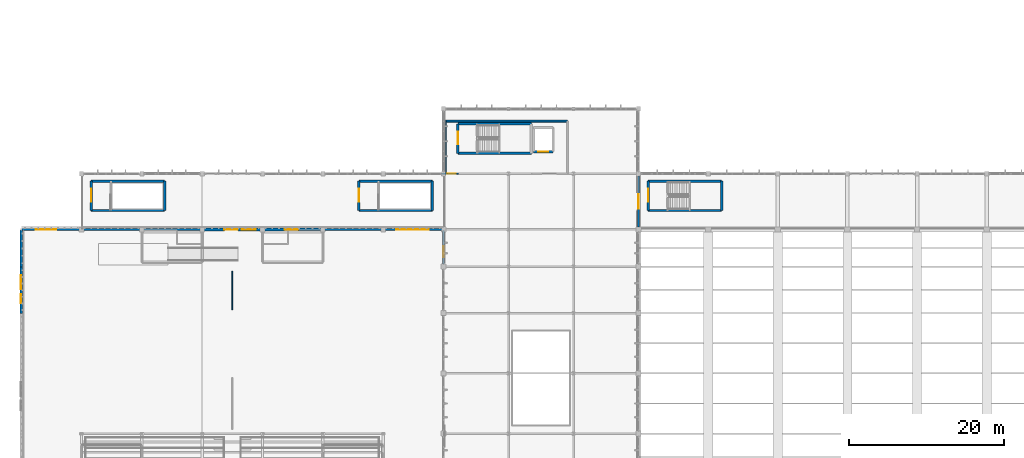
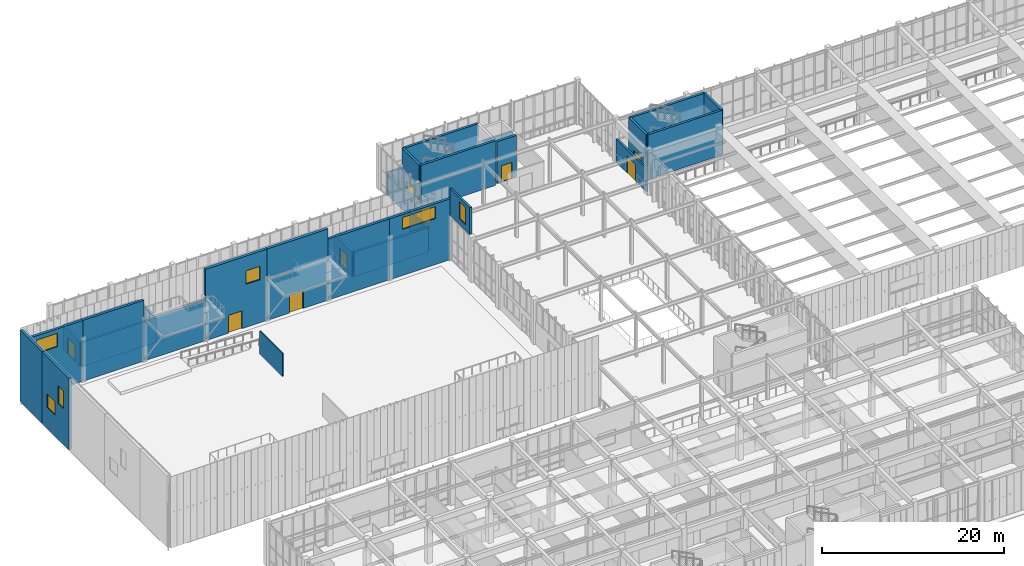
# One storey, part 75 of 105: 31 walls, 9 doors, 6 windows, 15 openings.
"""IFC4 building model written with IfcOpenShell, lengths in metres."""

from ifc_helpers import new_model, si_unit, direction, frame, frame_2d, origin, place, context, subcontext, project, spatial, rectangle, extrude, material, layer, layer_set, type_object, element, fill, save


model = new_model("IFC4")

# Units and contexts
model_context = context("Model", 3, precision=1e-05, world=origin(), true_north=direction((0.0, 1.0)))
body_context = subcontext(model_context, "Body", "Model", "MODEL_VIEW")
ifc_project = project(units=[si_unit("LENGTHUNIT", "METRE"), si_unit("AREAUNIT", "SQUARE_METRE"), si_unit("VOLUMEUNIT", "CUBIC_METRE"), si_unit("PLANEANGLEUNIT", "RADIAN"), si_unit("MASSUNIT", "GRAM", prefix="KILO")], contexts=[model_context])

# Site, building, storey
site_placement = place(None, origin())
site = spatial("IfcSite", under=ifc_project, at=site_placement, CompositionType="ELEMENT")
building_placement = place(site_placement, origin())
building = spatial("IfcBuilding", under=site, at=building_placement, Name="Tizgana Railside Sports Hall", CompositionType="ELEMENT")
storey_placement = place(building_placement, frame((0.0, 0.0, 6.0)))
storey = spatial("IfcBuildingStorey", under=building, at=storey_placement, Name="L01", CompositionType="ELEMENT", Elevation=6.0)

# Walls
ifc_material_1 = material(Name="Concrete C40/50", Category="concrete")
ifc_layer_1 = layer(ifc_material_1, 0.300048828125, Name="Concrete C40/50")
ifc_layer_set_1 = layer_set([ifc_layer_1], Name="Concrete C40/50")
wall_type_1 = type_object("IfcWallType", Name="Core Shear Wall 300", PredefinedType="SHEAR", material=ifc_layer_set_1)
for number, where, z_axis, x_axis, name in (
    (1, (65.949951171875, 83.050048828125, 0.0), (0.0, 0.0, 1.0), (-1.0, 0.0, 0.0), "L01 C4 Shaft Wall S"),
    (2, (56.449951171875, 86.85009765625, 0.0), (0.0, 0.0, 1.0), (1.0, 0.0, 0.0), "L01 C4 Shaft Wall N"),
):
    element("IfcWall", number, at=place(storey_placement, frame(where, z_axis=z_axis, x_axis=x_axis)), inside=storey, type_object=wall_type_1, Name=name, PredefinedType="SHEAR", context=body_context, shape_type="SweptSolid", body=[
        extrude(rectangle(XDim=9.5, YDim=0.300048828125, at=frame_2d((4.75, 0.0))), origin(), (0.0, 0.0, 1.0), 6.0),
    ])

# Wall, opening, door
wall_1_placement = place(storey_placement, frame((56.449951171875, 83.050048828125, 0.0), z_axis=(0.0, 0.0, 1.0), x_axis=(0.0, 1.0, 0.0)))
wall_1 = element("IfcWall", 3, at=wall_1_placement, inside=storey, type_object=wall_type_1, Name="L01 C4 Shaft Wall W", PredefinedType="SHEAR", context=body_context, shape_type="SweptSolid", body=[
    extrude(rectangle(XDim=3.800048828125, YDim=0.300048828125, at=frame_2d((1.89990234375, 0.0))), origin(), (0.0, 0.0, 1.0), 6.0),
])
opening_1_placement = place(wall_1_placement, frame((1.14990234375, 0.0, 0.0)))
opening_1 = element("IfcOpeningElement", 4, at=opening_1_placement, cuts=wall_1, Name="Opening D-0073", PredefinedType="OPENING", context=body_context, shape_type="SweptSolid", body=[
    extrude(rectangle(XDim=1.64990234375, YDim=2.199951171875, at=frame_2d((0.824951171875, 1.10009765625))), frame((0.0, 0.159912109375, 0.0), z_axis=(0.0, -1.0, 0.0), x_axis=(1.0, 0.0, 0.0)), (0.0, 0.0, 1.0), 0.320068359375),
])
ifc_material_2 = material(Name="Timber fire leaf", Category="wood")
door_type_1 = type_object("IfcDoorType", Name="Stair Core Double Fire Door 1650x2200", OperationType="NOTDEFINED", PredefinedType="DOOR", material=ifc_material_2)
door_1_placement = place(opening_1_placement, origin())
door_1 = element("IfcDoor", 5, at=door_1_placement, inside=storey, type_object=door_type_1, Name="L01 Door D-0073", OperationType="DOUBLE_DOOR_SINGLE_SWING", OverallHeight=2.199951171875, OverallWidth=1.64990234375, PredefinedType="DOOR", context=body_context, shape_type="SweptSolid", body=[
    extrude(rectangle(XDim=1.64990234375, YDim=2.199951171875, at=frame_2d((0.824951171875, 1.10009765625))), frame((0.0, 0.02490234375, 0.0), z_axis=(0.0, -1.0, 0.0), x_axis=(1.0, 0.0, 0.0)), (0.0, 0.0, 1.0), 0.050048828125),
])
fill(opening_1, door_1)

wall_2_placement = place(storey_placement, frame((66.25, 83.25, 0.0), z_axis=(0.0, 0.0, 1.0), x_axis=(1.0, 0.0, 0.0)))
wall_2 = element("IfcWall", 6, at=wall_2_placement, inside=storey, type_object=wall_type_1, Name="L01 LF-02 Shaft Wall S", PredefinedType="SHEAR", context=body_context, shape_type="SweptSolid", body=[
    extrude(rectangle(XDim=2.5, YDim=0.300048828125, at=frame_2d((1.25, 0.0))), origin(), (0.0, 0.0, 1.0), 5.639892578125),
])
opening_2_placement = place(wall_2_placement, frame((0.60009765625, 0.0, 0.0)))
opening_2 = element("IfcOpeningElement", 7, at=opening_2_placement, cuts=wall_2, Name="Opening D-0077", PredefinedType="OPENING", context=body_context, shape_type="SweptSolid", body=[
    extrude(rectangle(XDim=1.300048828125, YDim=2.199951171875, at=frame_2d((0.64990234375, 1.10009765625))), frame((0.0, 0.159912109375, 0.0), z_axis=(0.0, -1.0, 0.0), x_axis=(1.0, 0.0, 0.0)), (0.0, 0.0, 1.0), 0.320068359375),
])
ifc_material_3 = material(Name="Brushed stainless steel", Category="steel")
door_type_2 = type_object("IfcDoorType", Name="Stretcher Lift Sliding Door 1300x2200", OperationType="NOTDEFINED", PredefinedType="DOOR", material=ifc_material_3)
door_2_placement = place(opening_2_placement, origin())
door_2 = element("IfcDoor", 8, at=door_2_placement, inside=storey, type_object=door_type_2, Name="L01 Door D-0077", OperationType="DOUBLE_DOOR_SLIDING", OverallHeight=2.199951171875, OverallWidth=1.300048828125, PredefinedType="DOOR", context=body_context, shape_type="SweptSolid", body=[
    extrude(rectangle(XDim=1.300048828125, YDim=2.199951171875, at=frame_2d((0.64990234375, 1.10009765625))), frame((0.0, 0.02490234375, 0.0), z_axis=(0.0, -1.0, 0.0), x_axis=(1.0, 0.0, 0.0)), (0.0, 0.0, 1.0), 0.050048828125),
])
fill(opening_2, door_2)

# Walls
for number, where, z_axis, x_axis, name in (
    (9, (53.14990234375, 75.64990234375, 0.0), (0.0, 0.0, 1.0), (-1.0, 0.0, 0.0), "L01 C6 Shaft Wall S"),
    (10, (43.64990234375, 79.449951171875, 0.0), (0.0, 0.0, 1.0), (1.0, 0.0, 0.0), "L01 C6 Shaft Wall N"),
):
    element("IfcWall", number, at=place(storey_placement, frame(where, z_axis=z_axis, x_axis=x_axis)), inside=storey, type_object=wall_type_1, Name=name, PredefinedType="SHEAR", context=body_context, shape_type="SweptSolid", body=[
        extrude(rectangle(XDim=9.5, YDim=0.300048828125, at=frame_2d((4.75, 0.0))), origin(), (0.0, 0.0, 1.0), 3.300048828125),
    ])

# Wall, opening, door
wall_3_placement = place(storey_placement, frame((43.64990234375, 75.64990234375, 0.0), z_axis=(0.0, 0.0, 1.0), x_axis=(0.0, 1.0, 0.0)))
wall_3 = element("IfcWall", 11, at=wall_3_placement, inside=storey, type_object=wall_type_1, Name="L01 C6 Shaft Wall W", PredefinedType="SHEAR", context=body_context, shape_type="SweptSolid", body=[
    extrude(rectangle(XDim=3.800048828125, YDim=0.300048828125, at=frame_2d((1.89990234375, 0.0))), origin(), (0.0, 0.0, 1.0), 3.300048828125),
])
opening_3_placement = place(wall_3_placement, frame((1.14990234375, 0.0, 0.0)))
opening_3 = element("IfcOpeningElement", 12, at=opening_3_placement, cuts=wall_3, Name="Opening D-0089", PredefinedType="OPENING", context=body_context, shape_type="SweptSolid", body=[
    extrude(rectangle(XDim=1.64990234375, YDim=2.199951171875, at=frame_2d((0.824951171875, 1.10009765625))), frame((0.0, 0.159912109375, 0.0), z_axis=(0.0, -1.0, 0.0), x_axis=(1.0, 0.0, 0.0)), (0.0, 0.0, 1.0), 0.320068359375),
])
door_3_placement = place(opening_3_placement, origin())
door_3 = element("IfcDoor", 13, at=door_3_placement, inside=storey, type_object=door_type_1, Name="L01 Door D-0089", OperationType="DOUBLE_DOOR_SINGLE_SWING", OverallHeight=2.199951171875, OverallWidth=1.64990234375, PredefinedType="DOOR", context=body_context, shape_type="SweptSolid", body=[
    extrude(rectangle(XDim=1.64990234375, YDim=2.199951171875, at=frame_2d((0.824951171875, 1.10009765625))), frame((0.0, 0.02490234375, 0.0), z_axis=(0.0, -1.0, 0.0), x_axis=(1.0, 0.0, 0.0)), (0.0, 0.0, 1.0), 0.050048828125),
])
fill(opening_3, door_3)

# Walls
wall_4_placement = place(storey_placement, frame((53.14990234375, 75.64990234375, 0.0), z_axis=(0.0, 0.0, 1.0), x_axis=(0.0, 1.0, 0.0)))
element("IfcWall", 14, at=wall_4_placement, inside=storey, type_object=wall_type_1, Name="L01 C6 Shaft Wall E", PredefinedType="SHEAR", context=body_context, shape_type="SweptSolid", body=[
    extrude(rectangle(XDim=3.800048828125, YDim=0.300048828125, at=frame_2d((1.89990234375, 0.0))), origin(), (0.0, 0.0, 1.0), 3.300048828125),
])
for number, where, z_axis, x_axis, name in (
    (15, (18.550048828125, 75.64990234375, 0.0), (0.0, 0.0, 1.0), (-1.0, 0.0, 0.0), "L01 C7 Shaft Wall S"),
    (16, (9.050048828125, 79.449951171875, 0.0), (0.0, 0.0, 1.0), (1.0, 0.0, 0.0), "L01 C7 Shaft Wall N"),
):
    element("IfcWall", number, at=place(storey_placement, frame(where, z_axis=z_axis, x_axis=x_axis)), inside=storey, type_object=wall_type_1, Name=name, PredefinedType="SHEAR", context=body_context, shape_type="SweptSolid", body=[
        extrude(rectangle(XDim=9.5, YDim=0.300048828125, at=frame_2d((4.75, 0.0))), origin(), (0.0, 0.0, 1.0), 3.300048828125),
    ])

# Wall, opening, door
wall_5_placement = place(storey_placement, frame((9.050048828125, 75.64990234375, 0.0), z_axis=(0.0, 0.0, 1.0), x_axis=(0.0, 1.0, 0.0)))
wall_5 = element("IfcWall", 17, at=wall_5_placement, inside=storey, type_object=wall_type_1, Name="L01 C7 Shaft Wall W", PredefinedType="SHEAR", context=body_context, shape_type="SweptSolid", body=[
    extrude(rectangle(XDim=3.800048828125, YDim=0.300048828125, at=frame_2d((1.89990234375, 0.0))), origin(), (0.0, 0.0, 1.0), 3.300048828125),
])
opening_4_placement = place(wall_5_placement, frame((1.14990234375, 0.0, 0.0)))
opening_4 = element("IfcOpeningElement", 18, at=opening_4_placement, cuts=wall_5, Name="Opening D-0092", PredefinedType="OPENING", context=body_context, shape_type="SweptSolid", body=[
    extrude(rectangle(XDim=1.64990234375, YDim=2.199951171875, at=frame_2d((0.824951171875, 1.10009765625))), frame((0.0, 0.159912109375, 0.0), z_axis=(0.0, -1.0, 0.0), x_axis=(1.0, 0.0, 0.0)), (0.0, 0.0, 1.0), 0.320068359375),
])
door_4_placement = place(opening_4_placement, origin())
door_4 = element("IfcDoor", 19, at=door_4_placement, inside=storey, type_object=door_type_1, Name="L01 Door D-0092", OperationType="DOUBLE_DOOR_SINGLE_SWING", OverallHeight=2.199951171875, OverallWidth=1.64990234375, PredefinedType="DOOR", context=body_context, shape_type="SweptSolid", body=[
    extrude(rectangle(XDim=1.64990234375, YDim=2.199951171875, at=frame_2d((0.824951171875, 1.10009765625))), frame((0.0, 0.02490234375, 0.0), z_axis=(0.0, -1.0, 0.0), x_axis=(1.0, 0.0, 0.0)), (0.0, 0.0, 1.0), 0.050048828125),
])
fill(opening_4, door_4)

# Walls
wall_6_placement = place(storey_placement, frame((18.550048828125, 75.64990234375, 0.0), z_axis=(0.0, 0.0, 1.0), x_axis=(0.0, 1.0, 0.0)))
element("IfcWall", 20, at=wall_6_placement, inside=storey, type_object=wall_type_1, Name="L01 C7 Shaft Wall E", PredefinedType="SHEAR", context=body_context, shape_type="SweptSolid", body=[
    extrude(rectangle(XDim=3.800048828125, YDim=0.300048828125, at=frame_2d((1.89990234375, 0.0))), origin(), (0.0, 0.0, 1.0), 3.300048828125),
])
for number, where, z_axis, x_axis, name in (
    (21, (90.550048828125, 75.64990234375, 0.0), (0.0, 0.0, 1.0), (-1.0, 0.0, 0.0), "L01 C8 Shaft Wall S"),
    (22, (81.050048828125, 79.449951171875, 0.0), (0.0, 0.0, 1.0), (1.0, 0.0, 0.0), "L01 C8 Shaft Wall N"),
):
    element("IfcWall", number, at=place(storey_placement, frame(where, z_axis=z_axis, x_axis=x_axis)), inside=storey, type_object=wall_type_1, Name=name, PredefinedType="SHEAR", context=body_context, shape_type="SweptSolid", body=[
        extrude(rectangle(XDim=9.5, YDim=0.300048828125, at=frame_2d((4.75, 0.0))), origin(), (0.0, 0.0, 1.0), 6.0),
    ])

# Wall, opening, door
wall_7_placement = place(storey_placement, frame((81.050048828125, 75.64990234375, 0.0), z_axis=(0.0, 0.0, 1.0), x_axis=(0.0, 1.0, 0.0)))
wall_7 = element("IfcWall", 23, at=wall_7_placement, inside=storey, type_object=wall_type_1, Name="L01 C8 Shaft Wall W", PredefinedType="SHEAR", context=body_context, shape_type="SweptSolid", body=[
    extrude(rectangle(XDim=3.800048828125, YDim=0.300048828125, at=frame_2d((1.89990234375, 0.0))), origin(), (0.0, 0.0, 1.0), 6.0),
])
opening_5_placement = place(wall_7_placement, frame((1.14990234375, 0.0, 0.0)))
opening_5 = element("IfcOpeningElement", 24, at=opening_5_placement, cuts=wall_7, Name="Opening D-0095", PredefinedType="OPENING", context=body_context, shape_type="SweptSolid", body=[
    extrude(rectangle(XDim=1.64990234375, YDim=2.199951171875, at=frame_2d((0.824951171875, 1.10009765625))), frame((0.0, 0.159912109375, 0.0), z_axis=(0.0, -1.0, 0.0), x_axis=(1.0, 0.0, 0.0)), (0.0, 0.0, 1.0), 0.320068359375),
])
door_5_placement = place(opening_5_placement, origin())
door_5 = element("IfcDoor", 25, at=door_5_placement, inside=storey, type_object=door_type_1, Name="L01 Door D-0095", OperationType="DOUBLE_DOOR_SINGLE_SWING", OverallHeight=2.199951171875, OverallWidth=1.64990234375, PredefinedType="DOOR", context=body_context, shape_type="SweptSolid", body=[
    extrude(rectangle(XDim=1.64990234375, YDim=2.199951171875, at=frame_2d((0.824951171875, 1.10009765625))), frame((0.0, 0.02490234375, 0.0), z_axis=(0.0, -1.0, 0.0), x_axis=(1.0, 0.0, 0.0)), (0.0, 0.0, 1.0), 0.050048828125),
])
fill(opening_5, door_5)

# Walls
wall_8_placement = place(storey_placement, frame((90.550048828125, 75.64990234375, 0.0), z_axis=(0.0, 0.0, 1.0), x_axis=(0.0, 1.0, 0.0)))
element("IfcWall", 26, at=wall_8_placement, inside=storey, type_object=wall_type_1, Name="L01 C8 Shaft Wall E", PredefinedType="SHEAR", context=body_context, shape_type="SweptSolid", body=[
    extrude(rectangle(XDim=3.800048828125, YDim=0.300048828125, at=frame_2d((1.89990234375, 0.0))), origin(), (0.0, 0.0, 1.0), 6.0),
])
ifc_material_4 = material(Name="Acoustic perforated timber", Category="wood")
ifc_layer_2 = layer(ifc_material_4, 0.139892578125, Name="Acoustic perforated timber")
ifc_layer_set_2 = layer_set([ifc_layer_2], Name="Acoustic perforated timber")
wall_type_2 = type_object("IfcWallType", Name="Court Acoustic Divider Wall 140", PredefinedType="MOVABLE", material=ifc_layer_set_2)
wall_9_placement = place(storey_placement, frame((27.300048828125, 62.800048828125, 0.0), z_axis=(0.0, 0.0, 1.0), x_axis=(0.0, 1.0, 0.0)))
element("IfcWall", 27, at=wall_9_placement, inside=storey, type_object=wall_type_2, Name="L01 Partition PWAL-0293", PredefinedType="MOVABLE", context=body_context, shape_type="SweptSolid", body=[
    extrude(rectangle(XDim=5.0, YDim=0.139892578125, at=frame_2d((2.5, 0.0))), origin(), (0.0, 0.0, 1.0), 3.14990234375),
])

# Wall, opening, door
ifc_material_5 = material(Name="Masonry blockwork", Category="masonry")
ifc_layer_3 = layer(ifc_material_5, 0.219970703125, Name="Masonry blockwork")
ifc_layer_set_3 = layer_set([ifc_layer_3], Name="Masonry blockwork")
wall_type_3 = type_object("IfcWallType", Name="Equipment Store Fire Wall 220", PredefinedType="STANDARD", material=ifc_layer_set_3)
wall_10_placement = place(storey_placement, frame((79.800048828125, 73.5, 0.0), z_axis=(0.0, 0.0, 1.0), x_axis=(0.0, 1.0, 0.0)))
wall_10 = element("IfcWall", 28, at=wall_10_placement, inside=storey, type_object=wall_type_3, Name="L01 Partition PWAL-0277", PredefinedType="STANDARD", context=body_context, shape_type="SweptSolid", body=[
    extrude(rectangle(XDim=6.614990234375, YDim=0.219970703125, at=frame_2d((3.3076171875, 0.0))), origin(), (0.0, 0.0, 1.0), 3.14990234375),
])
opening_6_placement = place(wall_10_placement, frame((2.375, 0.0, 0.0)))
opening_6 = element("IfcOpeningElement", 29, at=opening_6_placement, cuts=wall_10, Name="Opening D-0265", PredefinedType="OPENING", context=body_context, shape_type="SweptSolid", body=[
    extrude(rectangle(XDim=1.85009765625, YDim=2.25, at=frame_2d((0.925048828125, 1.125))), frame((0.0, 0.119873046875, 0.0), z_axis=(0.0, -1.0, 0.0), x_axis=(1.0, 0.0, 0.0)), (0.0, 0.0, 1.0), 0.239990234375),
])
door_type_3 = type_object("IfcDoorType", Name="Corridor Cross-Fire Double Door 1850x2250", OperationType="NOTDEFINED", PredefinedType="DOOR", material=ifc_material_2)
door_6_placement = place(opening_6_placement, origin())
door_6 = element("IfcDoor", 30, at=door_6_placement, inside=storey, type_object=door_type_3, Name="L01 Door D-0265", OperationType="DOUBLE_DOOR_SINGLE_SWING", OverallHeight=2.25, OverallWidth=1.85009765625, PredefinedType="DOOR", context=body_context, shape_type="SweptSolid", body=[
    extrude(rectangle(XDim=1.85009765625, YDim=2.25, at=frame_2d((0.925048828125, 1.125))), frame((0.0, 0.02490234375, 0.0), z_axis=(0.0, -1.0, 0.0), x_axis=(1.0, 0.0, 0.0)), (0.0, 0.0, 1.0), 0.050048828125),
])
fill(opening_6, door_6)

# Wall, opening, window
ifc_material_6 = material(Name="Precast concrete C40/50", Category="concrete")
ifc_layer_4 = layer(ifc_material_6, 0.31005859375, Name="Precast concrete C40/50")
ifc_layer_set_4 = layer_set([ifc_layer_4], Name="Precast concrete C40/50")
wall_type_4 = type_object("IfcWallType", Name="Exterior Acoustic Hall Wall 310", PredefinedType="STANDARD", material=ifc_layer_set_4)
wall_11_placement = place(storey_placement, frame((0.050048828125, 73.199951171875, 0.0), z_axis=(0.0, 0.0, 1.0), x_axis=(1.0, 0.0, 0.0)))
wall_11 = element("IfcWall", 31, at=wall_11_placement, inside=storey, type_object=wall_type_4, Name="L01 Exterior Wall EWAL-0009", PredefinedType="STANDARD", context=body_context, shape_type="SweptSolid", body=[
    extrude(rectangle(XDim=7.699951171875, YDim=0.31005859375, at=frame_2d((3.85009765625, 0.0))), origin(), (0.0, 0.0, 1.0), 8.19091796875),
])
opening_7_placement = place(wall_11_placement, frame((1.800048828125, 0.0, 5.800048828125)))
opening_7 = element("IfcOpeningElement", 32, at=opening_7_placement, cuts=wall_11, Name="Opening W-0008", PredefinedType="OPENING", context=body_context, shape_type="SweptSolid", body=[
    extrude(rectangle(XDim=2.699951171875, YDim=1.800048828125, at=frame_2d((1.35009765625, 0.89990234375))), frame((0.0, 0.1650390625, 0.0), z_axis=(0.0, -1.0, 0.0), x_axis=(1.0, 0.0, 0.0)), (0.0, 0.0, 1.0), 0.330078125),
])
ifc_material_7 = material(Name="Double low-E laminated glass", Category="glass")
window_type_1 = type_object("IfcWindowType", Name="Upper Hall Clustered Window 2700x1800", PartitioningType="SINGLE_PANEL", PredefinedType="WINDOW", material=ifc_material_7)
window_1_placement = place(opening_7_placement, origin())
window_1 = element("IfcWindow", 33, at=window_1_placement, inside=storey, type_object=window_type_1, Name="L01 Window W-0008", OverallHeight=1.800048828125, OverallWidth=2.699951171875, PartitioningType="SINGLE_PANEL", PredefinedType="WINDOW", context=body_context, shape_type="SweptSolid", body=[
    extrude(rectangle(XDim=2.699951171875, YDim=1.800048828125, at=frame_2d((1.35009765625, 0.89990234375))), frame((0.0, 0.030029296875, 0.0), z_axis=(0.0, -1.0, 0.0), x_axis=(1.0, 0.0, 0.0)), (0.0, 0.0, 1.0), 0.06005859375),
])
fill(opening_7, window_1)

# Walls
wall_12_placement = place(storey_placement, frame((7.7548828125, 73.199951171875, 0.0), z_axis=(0.0, 0.0, 1.0), x_axis=(1.0, 0.0, 0.0)))
element("IfcWall", 34, at=wall_12_placement, inside=storey, type_object=wall_type_4, Name="L01 Exterior Wall EWAL-0011", PredefinedType="STANDARD", context=body_context, shape_type="SweptSolid", body=[
    extrude(rectangle(XDim=7.795166015625, YDim=0.31005859375, at=frame_2d((3.8974609375, 0.0))), origin(), (0.0, 0.0, 1.0), 8.19091796875),
])
wall_13_placement = place(storey_placement, frame((15.554931640625, 73.199951171875, 0.0), z_axis=(0.0, 0.0, 1.0), x_axis=(1.0, 0.0, 0.0)))
element("IfcWall", 35, at=wall_13_placement, inside=storey, type_object=wall_type_4, Name="L01 Exterior Wall EWAL-0013", PredefinedType="STANDARD", context=body_context, shape_type="SweptSolid", body=[
    extrude(rectangle(XDim=7.795166015625, YDim=0.31005859375, at=frame_2d((3.8974609375, 0.0))), origin(), (0.0, 0.0, 1.0), 5.47509765625),
])
wall_14_placement = place(storey_placement, frame((38.955078125, 73.199951171875, 0.0), z_axis=(0.0, 0.0, 1.0), x_axis=(1.0, 0.0, 0.0)))
element("IfcWall", 36, at=wall_14_placement, inside=storey, type_object=wall_type_4, Name="L01 Exterior Wall EWAL-0019", PredefinedType="STANDARD", context=body_context, shape_type="SweptSolid", body=[
    extrude(rectangle(XDim=7.794921875, YDim=0.31005859375, at=frame_2d((3.8974609375, 0.0))), origin(), (0.0, 0.0, 1.0), 8.19091796875),
])

# Wall, opening, window
wall_15_placement = place(storey_placement, frame((46.7548828125, 73.199951171875, 0.0), z_axis=(0.0, 0.0, 1.0), x_axis=(1.0, 0.0, 0.0)))
wall_15 = element("IfcWall", 37, at=wall_15_placement, inside=storey, type_object=wall_type_4, Name="L01 Exterior Wall EWAL-0021", PredefinedType="STANDARD", context=body_context, shape_type="SweptSolid", body=[
    extrude(rectangle(XDim=7.795166015625, YDim=0.31005859375, at=frame_2d((3.8974609375, 0.0))), origin(), (0.0, 0.0, 1.0), 8.19091796875),
])
opening_8_placement = place(wall_15_placement, frame((1.695068359375, 0.0, 6.199951171875)))
opening_8 = element("IfcOpeningElement", 38, at=opening_8_placement, cuts=wall_15, Name="Opening W-0016", PredefinedType="OPENING", context=body_context, shape_type="SweptSolid", body=[
    extrude(rectangle(XDim=4.199951171875, YDim=1.60009765625, at=frame_2d((2.10009765625, 0.800048828125))), frame((0.0, 0.1650390625, 0.0), z_axis=(0.0, -1.0, 0.0), x_axis=(1.0, 0.0, 0.0)), (0.0, 0.0, 1.0), 0.330078125),
])
window_type_2 = type_object("IfcWindowType", Name="North Court Clerestory Window 4200x1600", PartitioningType="SINGLE_PANEL", PredefinedType="WINDOW", material=ifc_material_7)
window_2_placement = place(opening_8_placement, origin())
window_2 = element("IfcWindow", 39, at=window_2_placement, inside=storey, type_object=window_type_2, Name="L01 Window W-0016", OverallHeight=1.60009765625, OverallWidth=4.199951171875, PartitioningType="SINGLE_PANEL", PredefinedType="WINDOW", context=body_context, shape_type="SweptSolid", body=[
    extrude(rectangle(XDim=4.199951171875, YDim=1.60009765625, at=frame_2d((2.10009765625, 0.800048828125))), frame((0.0, 0.030029296875, 0.0), z_axis=(0.0, -1.0, 0.0), x_axis=(1.0, 0.0, 0.0)), (0.0, 0.0, 1.0), 0.06005859375),
])
fill(opening_8, window_2)

# Wall, openings, windows
wall_16_placement = place(storey_placement, frame((0.0, 68.35009765625, 0.0), z_axis=(0.0, 0.0, 1.0), x_axis=(0.0, -1.0, 0.0)))
wall_16 = element("IfcWall", 40, at=wall_16_placement, inside=storey, type_object=wall_type_4, Name="L01 Exterior Wall EWAL-0025", PredefinedType="STANDARD", context=body_context, shape_type="SweptSolid", body=[
    extrude(rectangle(XDim=5.9951171875, YDim=0.31005859375, at=frame_2d((2.99755859375, 0.0))), origin(), (0.0, 0.0, 1.0), 9.60009765625),
])
opening_9_placement = place(wall_16_placement, frame((1.10009765625, 0.0, 2.800048828125)))
opening_9 = element("IfcOpeningElement", 41, at=opening_9_placement, cuts=wall_16, Name="Opening W-0019", PredefinedType="OPENING", context=body_context, shape_type="SweptSolid", body=[
    extrude(rectangle(XDim=1.800048828125, YDim=1.800048828125, at=frame_2d((0.89990234375, 0.89990234375))), frame((0.0, 0.1650390625, 0.0), z_axis=(0.0, -1.0, 0.0), x_axis=(1.0, 0.0, 0.0)), (0.0, 0.0, 1.0), 0.330078125),
])
opening_10_placement = place(wall_16_placement, frame((3.5, 0.0, 4.800048828125)))
opening_10 = element("IfcOpeningElement", 42, at=opening_10_placement, cuts=wall_16, Name="Opening W-0020", PredefinedType="OPENING", context=body_context, shape_type="SweptSolid", body=[
    extrude(rectangle(XDim=1.199951171875, YDim=2.39990234375, at=frame_2d((0.60009765625, 1.199951171875))), frame((0.0, 0.1650390625, 0.0), z_axis=(0.0, -1.0, 0.0), x_axis=(1.0, 0.0, 0.0)), (0.0, 0.0, 1.0), 0.330078125),
])
window_type_3 = type_object("IfcWindowType", Name="Upper Hall Clustered Window 1800x1800", PartitioningType="SINGLE_PANEL", PredefinedType="WINDOW", material=ifc_material_7)
window_3_placement = place(opening_9_placement, origin())
window_3 = element("IfcWindow", 43, at=window_3_placement, inside=storey, type_object=window_type_3, Name="L01 Window W-0019", OverallHeight=1.800048828125, OverallWidth=1.800048828125, PartitioningType="SINGLE_PANEL", PredefinedType="WINDOW", context=body_context, shape_type="SweptSolid", body=[
    extrude(rectangle(XDim=1.800048828125, YDim=1.800048828125, at=frame_2d((0.89990234375, 0.89990234375))), frame((0.0, 0.030029296875, 0.0), z_axis=(0.0, -1.0, 0.0), x_axis=(1.0, 0.0, 0.0)), (0.0, 0.0, 1.0), 0.06005859375),
])
fill(opening_9, window_3)
window_type_4 = type_object("IfcWindowType", Name="Upper Hall Tall Slot Window 1200x2400", PartitioningType="SINGLE_PANEL", PredefinedType="WINDOW", material=ifc_material_7)
window_4_placement = place(opening_10_placement, origin())
window_4 = element("IfcWindow", 44, at=window_4_placement, inside=storey, type_object=window_type_4, Name="L01 Window W-0020", OverallHeight=2.39990234375, OverallWidth=1.199951171875, PartitioningType="SINGLE_PANEL", PredefinedType="WINDOW", context=body_context, shape_type="SweptSolid", body=[
    extrude(rectangle(XDim=1.199951171875, YDim=2.39990234375, at=frame_2d((0.60009765625, 1.199951171875))), frame((0.0, 0.030029296875, 0.0), z_axis=(0.0, -1.0, 0.0), x_axis=(1.0, 0.0, 0.0)), (0.0, 0.0, 1.0), 0.06005859375),
])
fill(opening_10, window_4)

# Wall
wall_17_placement = place(storey_placement, frame((0.0, 73.14990234375, 0.0), z_axis=(0.0, 0.0, 1.0), x_axis=(0.0, -1.0, 0.0)))
element("IfcWall", 45, at=wall_17_placement, inside=storey, type_object=wall_type_4, Name="L01 Exterior Wall EWAL-0026", PredefinedType="STANDARD", context=body_context, shape_type="SweptSolid", body=[
    extrude(rectangle(XDim=4.794921875, YDim=0.31005859375, at=frame_2d((2.3974609375, 0.0))), origin(), (0.0, 0.0, 1.0), 9.60009765625),
])

# Wall, openings, door, window
ifc_material_8 = material(Name="Concrete C35/45", Category="concrete")
ifc_layer_5 = layer(ifc_material_8, 0.340087890625, Name="Concrete C35/45")
ifc_layer_set_5 = layer_set([ifc_layer_5], Name="Concrete C35/45")
wall_type_5 = type_object("IfcWallType", Name="Exterior Insulated Concrete Wall 340", PredefinedType="STANDARD", material=ifc_layer_set_5)
wall_18_placement = place(storey_placement, frame((23.35498046875, 73.199951171875, 0.0), z_axis=(0.0, 0.0, 1.0), x_axis=(1.0, 0.0, 0.0)))
wall_18 = element("IfcWall", 46, at=wall_18_placement, inside=storey, type_object=wall_type_5, Name="L01 Exterior Wall EWAL-0015", PredefinedType="STANDARD", context=body_context, shape_type="SweptSolid", body=[
    extrude(rectangle(XDim=7.794921875, YDim=0.340087890625, at=frame_2d((3.8974609375, 0.0))), origin(), (0.0, 0.0, 1.0), 9.60009765625),
])
opening_11_placement = place(wall_18_placement, frame((2.89990234375, 0.0, 0.0)))
opening_11 = element("IfcOpeningElement", 47, at=opening_11_placement, cuts=wall_18, Name="Opening D-0007", PredefinedType="OPENING", context=body_context, shape_type="SweptSolid", body=[
    extrude(rectangle(XDim=1.75, YDim=2.39990234375, at=frame_2d((0.875, 1.199951171875))), frame((0.0, 0.179931640625, 0.0), z_axis=(0.0, -1.0, 0.0), x_axis=(1.0, 0.0, 0.0)), (0.0, 0.0, 1.0), 0.360107421875),
])
opening_12_placement = place(wall_18_placement, frame((5.14501953125, 0.0, 5.800048828125)))
opening_12 = element("IfcOpeningElement", 48, at=opening_12_placement, cuts=wall_18, Name="Opening W-0013", PredefinedType="OPENING", context=body_context, shape_type="SweptSolid", body=[
    extrude(rectangle(XDim=1.800048828125, YDim=1.800048828125, at=frame_2d((0.89990234375, 0.89990234375))), frame((0.0, 0.179931640625, 0.0), z_axis=(0.0, -1.0, 0.0), x_axis=(1.0, 0.0, 0.0)), (0.0, 0.0, 1.0), 0.360107421875),
])
ifc_material_9 = material(Name="Galvanised steel sheet", Category="steel")
door_type_4 = type_object("IfcDoorType", Name="Equipment Store Double Fire Door 1750x2400", OperationType="NOTDEFINED", PredefinedType="DOOR", material=ifc_material_9)
door_7_placement = place(opening_11_placement, origin())
door_7 = element("IfcDoor", 49, at=door_7_placement, inside=storey, type_object=door_type_4, Name="L01 Door D-0007", OperationType="DOUBLE_DOOR_SINGLE_SWING", OverallHeight=2.39990234375, OverallWidth=1.75, PredefinedType="DOOR", context=body_context, shape_type="SweptSolid", body=[
    extrude(rectangle(XDim=1.75, YDim=2.39990234375, at=frame_2d((0.875, 1.199951171875))), frame((0.0, 0.02490234375, 0.0), z_axis=(0.0, -1.0, 0.0), x_axis=(1.0, 0.0, 0.0)), (0.0, 0.0, 1.0), 0.050048828125),
])
fill(opening_11, door_7)
window_5_placement = place(opening_12_placement, origin())
window_5 = element("IfcWindow", 50, at=window_5_placement, inside=storey, type_object=window_type_3, Name="L01 Window W-0013", OverallHeight=1.800048828125, OverallWidth=1.800048828125, PartitioningType="SINGLE_PANEL", PredefinedType="WINDOW", context=body_context, shape_type="SweptSolid", body=[
    extrude(rectangle(XDim=1.800048828125, YDim=1.800048828125, at=frame_2d((0.89990234375, 0.89990234375))), frame((0.0, 0.030029296875, 0.0), z_axis=(0.0, -1.0, 0.0), x_axis=(1.0, 0.0, 0.0)), (0.0, 0.0, 1.0), 0.06005859375),
])
fill(opening_12, window_5)

# Wall, opening, door
wall_19_placement = place(storey_placement, frame((31.155029296875, 73.199951171875, 0.0), z_axis=(0.0, 0.0, 1.0), x_axis=(1.0, 0.0, 0.0)))
wall_19 = element("IfcWall", 51, at=wall_19_placement, inside=storey, type_object=wall_type_5, Name="L01 Exterior Wall EWAL-0017", PredefinedType="STANDARD", context=body_context, shape_type="SweptSolid", body=[
    extrude(rectangle(XDim=7.794921875, YDim=0.340087890625, at=frame_2d((3.8974609375, 0.0))), origin(), (0.0, 0.0, 1.0), 9.60009765625),
])
opening_13_placement = place(wall_19_placement, frame((2.89990234375, 0.0, 0.0)))
opening_13 = element("IfcOpeningElement", 52, at=opening_13_placement, cuts=wall_19, Name="Opening D-0008", PredefinedType="OPENING", context=body_context, shape_type="SweptSolid", body=[
    extrude(rectangle(XDim=1.75, YDim=2.39990234375, at=frame_2d((0.875, 1.199951171875))), frame((0.0, 0.179931640625, 0.0), z_axis=(0.0, -1.0, 0.0), x_axis=(1.0, 0.0, 0.0)), (0.0, 0.0, 1.0), 0.360107421875),
])
door_8_placement = place(opening_13_placement, origin())
door_8 = element("IfcDoor", 53, at=door_8_placement, inside=storey, type_object=door_type_4, Name="L01 Door D-0008", OperationType="DOUBLE_DOOR_SINGLE_SWING", OverallHeight=2.39990234375, OverallWidth=1.75, PredefinedType="DOOR", context=body_context, shape_type="SweptSolid", body=[
    extrude(rectangle(XDim=1.75, YDim=2.39990234375, at=frame_2d((0.875, 1.199951171875))), frame((0.0, 0.02490234375, 0.0), z_axis=(0.0, -1.0, 0.0), x_axis=(1.0, 0.0, 0.0)), (0.0, 0.0, 1.0), 0.050048828125),
])
fill(opening_13, door_8)

# Wall, opening, window
ifc_layer_6 = layer(ifc_material_6, 0.27001953125, Name="Precast concrete C40/50")
ifc_layer_set_6 = layer_set([ifc_layer_6], Name="Precast concrete C40/50")
wall_type_6 = type_object("IfcWallType", Name="Exterior Studio Facade Wall 270", PredefinedType="STANDARD", material=ifc_layer_set_6)
wall_20_placement = place(storey_placement, frame((54.60009765625, 68.715087890625, 6.0), z_axis=(0.0, 0.0, 1.0), x_axis=(0.0, 1.0, 0.0)))
wall_20 = element("IfcWall", 54, at=wall_20_placement, inside=storey, type_object=wall_type_6, Name="L01 Exterior Wall EWAL-0148", PredefinedType="STANDARD", context=body_context, shape_type="SweptSolid", body=[
    extrude(rectangle(XDim=4.324951171875, YDim=0.27001953125, at=frame_2d((2.16259765625, 0.0))), origin(), (0.0, 0.0, 1.0), 3.60009765625),
])
opening_14_placement = place(wall_20_placement, frame((0.885009765625, 0.0, 0.800048828125)))
opening_14 = element("IfcOpeningElement", 55, at=opening_14_placement, cuts=wall_20, Name="Opening W-0127", PredefinedType="OPENING", context=body_context, shape_type="SweptSolid", body=[
    extrude(rectangle(XDim=1.39990234375, YDim=2.300048828125, at=frame_2d((0.699951171875, 1.14990234375))), frame((0.0, 0.14501953125, 0.0), z_axis=(0.0, -1.0, 0.0), x_axis=(1.0, 0.0, 0.0)), (0.0, 0.0, 1.0), 0.2900390625),
])
window_type_5 = type_object("IfcWindowType", Name="Stair Core Daylight Window 1400x2300", PartitioningType="SINGLE_PANEL", PredefinedType="WINDOW", material=ifc_material_7)
window_6_placement = place(opening_14_placement, origin())
window_6 = element("IfcWindow", 56, at=window_6_placement, inside=storey, type_object=window_type_5, Name="L01 Window W-0127", OverallHeight=2.300048828125, OverallWidth=1.39990234375, PartitioningType="SINGLE_PANEL", PredefinedType="WINDOW", context=body_context, shape_type="SweptSolid", body=[
    extrude(rectangle(XDim=1.39990234375, YDim=2.300048828125, at=frame_2d((0.699951171875, 1.14990234375))), frame((0.0, 0.030029296875, 0.0), z_axis=(0.0, -1.0, 0.0), x_axis=(1.0, 0.0, 0.0)), (0.0, 0.0, 1.0), 0.06005859375),
])
fill(opening_14, window_6)

# Wall, opening, door
ifc_layer_7 = layer(ifc_material_8, 0.239990234375, Name="Concrete C35/45")
ifc_layer_set_7 = layer_set([ifc_layer_7], Name="Concrete C35/45")
wall_type_7 = type_object("IfcWallType", Name="Firefighting Lobby Wall 240", PredefinedType="STANDARD", material=ifc_layer_set_7)
wall_21_placement = place(storey_placement, frame((54.340087890625, 80.39990234375, 0.0), z_axis=(0.0, 0.0, 1.0), x_axis=(1.0, 0.0, 0.0)))
wall_21 = element("IfcWall", 57, at=wall_21_placement, inside=storey, type_object=wall_type_7, Name="L01 Partition PWAL-0320", PredefinedType="STANDARD", context=body_context, shape_type="SweptSolid", body=[
    extrude(rectangle(XDim=2.159912109375, YDim=0.239990234375, at=frame_2d((1.080078125, 0.0))), origin(), (0.0, 0.0, 1.0), 3.14990234375),
])
opening_15_placement = place(wall_21_placement, frame((0.760009765625, 0.0, 0.0)))
opening_15 = element("IfcOpeningElement", 58, at=opening_15_placement, cuts=wall_21, Name="Opening D-0292", PredefinedType="OPENING", context=body_context, shape_type="SweptSolid", body=[
    extrude(rectangle(XDim=1.10009765625, YDim=2.199951171875, at=frame_2d((0.550048828125, 1.10009765625))), frame((0.0, 0.1298828125, 0.0), z_axis=(0.0, -1.0, 0.0), x_axis=(1.0, 0.0, 0.0)), (0.0, 0.0, 1.0), 0.260009765625),
])
door_type_5 = type_object("IfcDoorType", Name="Firefighting Lobby Fire Door 1100x2200", OperationType="NOTDEFINED", PredefinedType="DOOR", material=ifc_material_2)
door_9_placement = place(opening_15_placement, origin())
door_9 = element("IfcDoor", 59, at=door_9_placement, inside=storey, type_object=door_type_5, Name="L01 Door D-0292", OperationType="SINGLE_SWING_LEFT", OverallHeight=2.199951171875, OverallWidth=1.10009765625, PredefinedType="DOOR", context=body_context, shape_type="SweptSolid", body=[
    extrude(rectangle(XDim=1.10009765625, YDim=2.199951171875, at=frame_2d((0.550048828125, 1.10009765625))), frame((0.0, 0.02490234375, 0.0), z_axis=(0.0, -1.0, 0.0), x_axis=(1.0, 0.0, 0.0)), (0.0, 0.0, 1.0), 0.050048828125),
])
fill(opening_15, door_9)

# Walls
wall_22_placement = place(storey_placement, frame((54.800048828125, 80.39990234375, 0.0), z_axis=(0.0, 0.0, 1.0), x_axis=(0.0, 1.0, 0.0)))
element("IfcWall", 60, at=wall_22_placement, inside=storey, type_object=wall_type_7, Name="L01 Partition PWAL-0321", PredefinedType="STANDARD", context=body_context, shape_type="SweptSolid", body=[
    extrude(rectangle(XDim=6.800048828125, YDim=0.239990234375, at=frame_2d((3.39990234375, 0.0))), origin(), (0.0, 0.0, 1.0), 3.14990234375),
])
wall_23_placement = place(storey_placement, frame((54.639892578125, 87.199951171875, 0.0), z_axis=(0.0, 0.0, 1.0), x_axis=(1.0, 0.0, 0.0)))
element("IfcWall", 61, at=wall_23_placement, inside=storey, type_object=wall_type_7, Name="L01 Partition PWAL-0322", PredefinedType="STANDARD", context=body_context, shape_type="SweptSolid", body=[
    extrude(rectangle(XDim=15.960205078125, YDim=0.239990234375, at=frame_2d((7.97998046875, 0.0))), origin(), (0.0, 0.0, 1.0), 3.14990234375),
])

save(model, "model.ifc")
